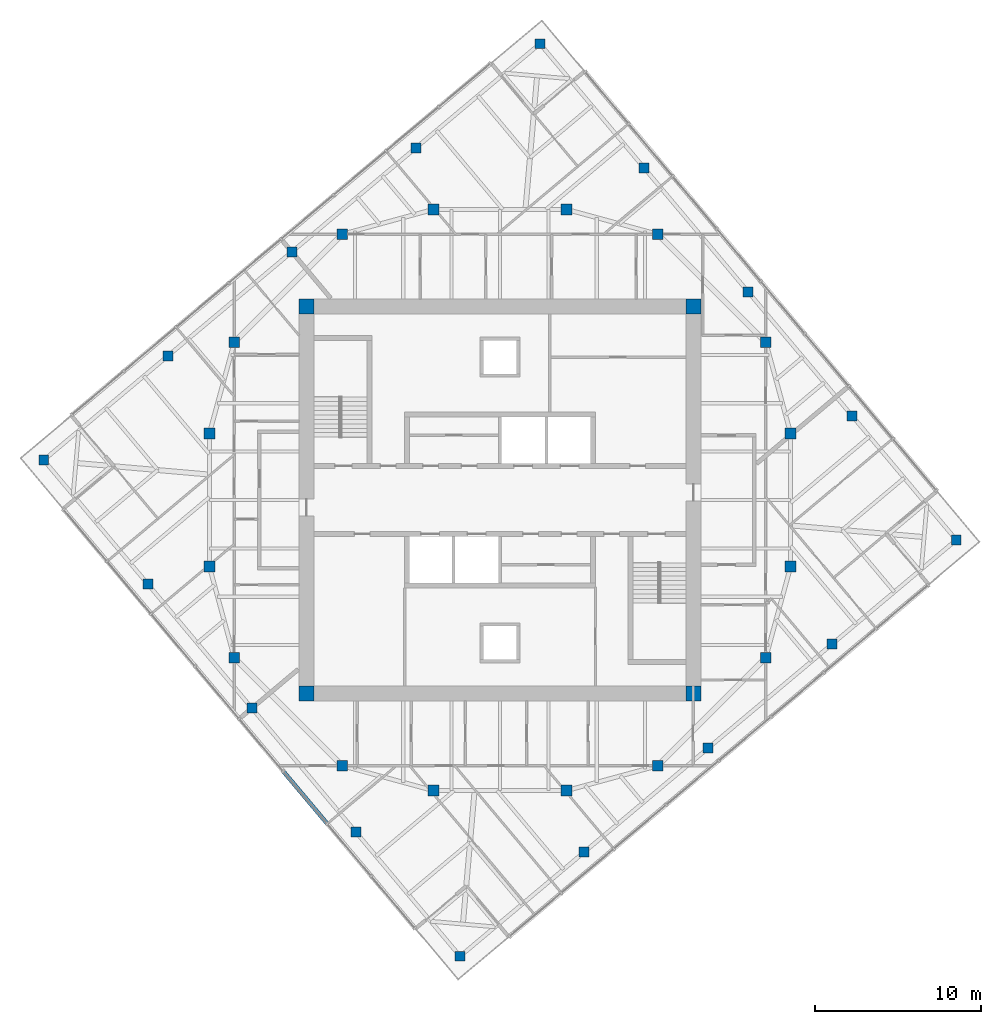
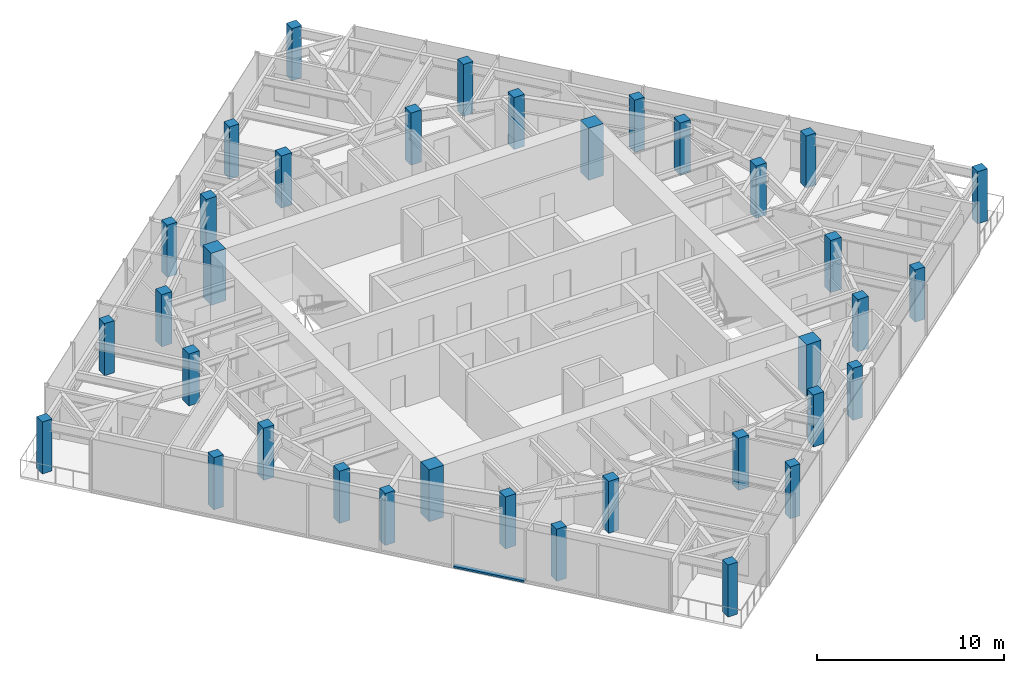
# One storey, part 1 of 12: 36 columns, 1 member, 1 element without a shape of its own.
"""IFC4 building model written with IfcOpenShell, lengths in metres."""

import ifcopenshell
import ifcopenshell.guid

model = None  # the IFC model being written
_history = None  # IfcOwnerHistory: only IFC2X3 demands one
_inside = {}  # id of a spatial element -> (the spatial element, [elements in it])
_under = {}  # id of a project, library or spatial element -> (it, [spatial elements below it])
_declared = {}  # id of a project -> (the project, [libraries it declares])
_typed = {}  # id of a type object -> (the type object, [elements of that type])
_made_of = {}  # id of a material, layer set ... -> (it, [elements and type objects made of it])


def new_model(schema):
    """Start an empty IFC model of exactly this schema.

    Asked for "IFC4X3", IfcOpenShell would pick the latest addendum, in which some entities
    have other attributes; the version numbers below select the first issue.
    IFC2X3 requires an IfcOwnerHistory on every rooted entity: one is made here for all.
    """
    global model, _history
    if schema == "IFC4X3":
        model = ifcopenshell.file(schema_version=(4, 3, 0, 0))
    else:
        model = ifcopenshell.file(schema=schema)
    _inside.clear()
    _under.clear()
    _declared.clear()
    _typed.clear()
    _made_of.clear()
    _history = None
    if model.schema == "IFC2X3":
        org = make("IfcOrganization", Name="unknown")
        user = make(
            "IfcPersonAndOrganization",
            ThePerson=make("IfcPerson", FamilyName="unknown"),
            TheOrganization=org,
        )
        app = make(
            "IfcApplication",
            ApplicationDeveloper=org,
            Version="unknown",
            ApplicationFullName="unknown",
            ApplicationIdentifier="unknown",
        )
        _history = make(
            "IfcOwnerHistory",
            OwningUser=user,
            OwningApplication=app,
            ChangeAction="ADDED",
            CreationDate=0,
        )
    return model


def make(cls, **values):
    """One entity of the class cls with the attributes given. An attribute that is None is left unset."""
    return model.create_entity(
        cls, **{name: value for name, value in values.items() if value is not None}
    )


def rooted(cls, **values):
    """An entity with a GlobalId (a new one), such as an element, a storey or a relation."""
    return make(cls, GlobalId=ifcopenshell.guid.new(), OwnerHistory=_history, **values)


def si_unit(unit_type, name, prefix=None):
    """IfcSIUnit, for example si_unit("LENGTHUNIT", "METRE", prefix="MILLI")."""
    return make("IfcSIUnit", UnitType=unit_type, Prefix=prefix, Name=name)


def assignment(units):
    """IfcUnitAssignment: the units of a project."""
    return None if units is None else make("IfcUnitAssignment", Units=units)


def point(xyz):
    """IfcCartesianPoint."""
    return None if xyz is None else make("IfcCartesianPoint", Coordinates=xyz)


def direction(xyz):
    """IfcDirection."""
    return None if xyz is None else make("IfcDirection", DirectionRatios=xyz)


def frame(location, z_axis=None, x_axis=None):
    """IfcAxis2Placement3D, a coordinate frame: its origin and axes. An axis left out is left unset."""
    return make(
        "IfcAxis2Placement3D",
        Location=point(location),
        Axis=direction(z_axis),
        RefDirection=direction(x_axis),
    )


def frame_2d(location, x_axis=None):
    """IfcAxis2Placement2D, a coordinate frame in the plane: its origin and x axis."""
    return make(
        "IfcAxis2Placement2D", Location=point(location), RefDirection=direction(x_axis)
    )


def origin():
    """The frame at (0, 0, 0) with its axes left unset."""
    return frame((0.0, 0.0, 0.0))


def origin_2d():
    """The frame at (0, 0) in the plane with its x axis left unset."""
    return frame_2d((0.0, 0.0))


def place(relative_to, where):
    """IfcLocalPlacement: puts the frame where relative to a parent placement (None: the world)."""
    return make(
        "IfcLocalPlacement", PlacementRelTo=relative_to, RelativePlacement=where
    )


def context(
    kind, dimensions, precision=None, world=None, true_north=None, identifier=None
):
    """IfcGeometricRepresentationContext, for example the 3D "Model" context."""
    return make(
        "IfcGeometricRepresentationContext",
        ContextIdentifier=identifier,
        ContextType=kind,
        CoordinateSpaceDimension=dimensions,
        Precision=precision,
        WorldCoordinateSystem=world,
        TrueNorth=true_north,
    )


def subcontext(parent, identifier, kind, view, scale=None):
    """IfcGeometricRepresentationSubContext, for example "Body" below "Model"."""
    return make(
        "IfcGeometricRepresentationSubContext",
        ContextIdentifier=identifier,
        ContextType=kind,
        ParentContext=parent,
        TargetScale=scale,
        TargetView=view,
    )


def project(units=None, contexts=None):
    """IfcProject with its units and contexts."""
    return rooted(
        "IfcProject",
        Name="project",
        RepresentationContexts=contexts,
        UnitsInContext=assignment(units),
    )


def spatial(cls, under=None, at=None, **own):
    """A site, building, storey or space (cls), placed at a placement, below another one or the project."""
    s = rooted(cls, ObjectPlacement=at, **own)
    if under is not None:
        _under.setdefault(under.id(), (under, []))[1].append(s)
    return s


def profile(cls, at=None, kind="AREA", **sizes):
    """A parametric profile (cls). Its sizes go by their IFC names, for example OverallWidth=200.0."""
    return make(cls, ProfileType=kind, Position=at, **sizes)


def rectangle(**sizes):
    """IfcRectangleProfileDef."""
    return profile("IfcRectangleProfileDef", **sizes)


def extrude(swept, where, along, depth):
    """IfcExtrudedAreaSolid: the profile swept, set in the frame where, extruded along a direction by depth."""
    return make(
        "IfcExtrudedAreaSolid",
        SweptArea=swept,
        Position=where,
        ExtrudedDirection=direction(along),
        Depth=depth,
    )


def shape(context_of_items, identifier, shape_type, items):
    """IfcShapeRepresentation: the items that make up one representation, for example the "Body"."""
    return make(
        "IfcShapeRepresentation",
        ContextOfItems=context_of_items,
        RepresentationIdentifier=identifier,
        RepresentationType=shape_type,
        Items=items,
    )


def material(Name=None, Category=None):
    """IfcMaterial."""
    return make("IfcMaterial", Name=Name, Category=Category)


def material_profile(
    of_material, cross_section, Name=None, Category=None, Priority=None
):
    """IfcMaterialProfile: a cross section and its material."""
    return make(
        "IfcMaterialProfile",
        Name=Name,
        Material=of_material,
        Profile=cross_section,
        Priority=Priority,
        Category=Category,
    )


def profile_set(profiles, Name=None, composite=None):
    """IfcMaterialProfileSet."""
    return make(
        "IfcMaterialProfileSet",
        Name=Name,
        MaterialProfiles=profiles,
        CompositeProfile=composite,
    )


def made_of(thing, what):
    """Note that an element or type object is made of a material, layer set ...; save() writes the relation."""
    if what is not None:
        _made_of.setdefault(what.id(), (what, []))[1].append(thing)
    return thing


def type_object(cls, material=None, **own):
    """A type object (cls), such as IfcWallType, which elements share."""
    return made_of(rooted(cls, **own), material)


def element(
    cls,
    number,
    at=None,
    inside=None,
    cuts=None,
    type_object=None,
    material=None,
    context=None,
    identifier="Body",
    shape_type=None,
    held_by="IfcProductDefinitionShape",
    body=None,
    shapes=None,
    **own,
):
    """One element of the class cls, such as IfcWall. Its Tag is "e" and its number.

    at: its placement. inside: the storey or other place that contains it. cuts: it is an
    opening in that element (IfcRelVoidsElement). A single representation is given by context,
    identifier, shape_type and body (its items); several are given by shapes. held_by: the class
    of the entity that holds the representations. save() writes the other relations.
    """
    e = rooted(cls, Tag="e%d" % number, ObjectPlacement=at, **own)
    if body is not None:
        shapes = [shape(context, identifier, shape_type, body)]
    if shapes is not None:
        e.Representation = make(held_by, Representations=shapes)
    if inside is not None:
        _inside.setdefault(inside.id(), (inside, []))[1].append(e)
    if cuts is not None:
        rooted(
            "IfcRelVoidsElement", RelatingBuildingElement=cuts, RelatedOpeningElement=e
        )
    if type_object is not None:
        _typed.setdefault(type_object.id(), (type_object, []))[1].append(e)
    return made_of(e, material)


def aggregate(whole, parts):
    """IfcRelAggregates: a whole, such as a stair, and the parts it consists of."""
    return rooted("IfcRelAggregates", RelatingObject=whole, RelatedObjects=parts)


def save(model, path):
    """Write the relations noted so far, then the file.

    IfcRelAggregates (storeys below a building ...), IfcRelContainedInSpatialStructure (elements
    in a storey), IfcRelDefinesByType, IfcRelAssociatesMaterial and IfcRelDeclares: one each for
    every whole, place, type object, material and project.
    """
    for whole, parts in _under.values():
        aggregate(whole, parts)
    for where, things in _inside.values():
        rooted(
            "IfcRelContainedInSpatialStructure",
            RelatedElements=things,
            RelatingStructure=where,
        )
    for kind, things in _typed.values():
        rooted("IfcRelDefinesByType", RelatedObjects=things, RelatingType=kind)
    for what, things in _made_of.values():
        rooted("IfcRelAssociatesMaterial", RelatedObjects=things, RelatingMaterial=what)
    for by, libraries in _declared.values():
        rooted("IfcRelDeclares", RelatingContext=by, RelatedDefinitions=libraries)
    model.write(path)


model = new_model("IFC4")

# Units and contexts
model_context = context("Model", 3, precision=1e-05, world=origin(), true_north=direction((0.0, 1.0)))
body_context = subcontext(model_context, "Body", "Model", "MODEL_VIEW")
ifc_project = project(units=[si_unit("LENGTHUNIT", "METRE"), si_unit("AREAUNIT", "SQUARE_METRE"), si_unit("VOLUMEUNIT", "CUBIC_METRE"), si_unit("PLANEANGLEUNIT", "RADIAN"), si_unit("MASSUNIT", "GRAM", prefix="KILO")], contexts=[model_context])

# Site, building, storey
site_placement = place(None, origin())
site = spatial("IfcSite", under=ifc_project, at=site_placement, CompositionType="ELEMENT")
building_placement = place(site_placement, origin())
building = spatial("IfcBuilding", under=site, at=building_placement, Name="Torsade Residences", CompositionType="ELEMENT")
storey_placement = place(building_placement, frame((0.0, 0.0, 282.800048828125)))
storey = spatial("IfcBuildingStorey", under=building, at=storey_placement, Name="L78", CompositionType="ELEMENT", Elevation=282.800048828125)

# Columns
ifc_material_1 = material(Name="Concrete 80 MPa", Category="concrete")
ifc_material_profile_1 = material_profile(ifc_material_1, rectangle(XDim=0.89990234375, YDim=0.89990234375, at=origin_2d()), Name="RC 900x900")
ifc_profile_set_1 = profile_set([ifc_material_profile_1], Name="Concrete 80 MPa")
column_type_1 = type_object("IfcColumnType", Name="CORE CORNER COLUMN RC 900x900", PredefinedType="COLUMN", material=ifc_profile_set_1)
for number, where, z_axis, x_axis, name in (
    (1, (28.35009765625, 18.35009765625, 0.0), (0.0, 0.0, 1.0), (1.0, 0.0, 0.0), "Core corner column CC1 L78"),
    (2, (51.64990234375, 18.35009765625, 0.0), (0.0, 0.0, 1.0), (1.0, 0.0, 0.0), "Core corner column CC2 L78"),
    (3, (51.64990234375, 41.64990234375, 0.0), (0.0, 0.0, 1.0), (1.0, 0.0, 0.0), "Core corner column CC3 L78"),
    (4, (28.35009765625, 41.64990234375, 0.0), (0.0, 0.0, 1.0), (1.0, 0.0, 0.0), "Core corner column CC4 L78"),
):
    element("IfcColumn", number, at=place(storey_placement, frame(where, z_axis=z_axis, x_axis=x_axis)), inside=storey, type_object=column_type_1, Name=name, PredefinedType="COLUMN", context=body_context, shape_type="SweptSolid", body=[
        extrude(rectangle(XDim=0.89990234375, YDim=0.89990234375, at=origin_2d()), origin(), (0.0, 0.0, 1.0), 3.39990234375),
    ])
ifc_material_2 = material(Name="Concrete 80 MPa", Category="concrete")
ifc_material_profile_2 = material_profile(ifc_material_2, rectangle(XDim=0.64990234375, YDim=0.64990234375, at=origin_2d()), Name="RC 650x650")
ifc_profile_set_2 = profile_set([ifc_material_profile_2], Name="Concrete 80 MPa")
column_type_2 = type_object("IfcColumnType", Name="INNER RING COLUMN RC 650x650", PredefinedType="COLUMN", material=ifc_profile_set_2)
for number, where, z_axis, x_axis, name in (
    (5, (57.5, 26.0, 0.0), (0.0, 0.0, 1.0), (1.0, 0.0, 0.0), "Inner ring column IR01 L78"),
    (6, (57.5, 34.0, 0.0), (0.0, 0.0, 1.0), (1.0, 0.0, 0.0), "Inner ring column IR02 L78"),
    (7, (56.0, 39.5, 0.0), (0.0, 0.0, 1.0), (1.0, 0.0, 0.0), "Inner ring column IR03 L78"),
    (8, (49.5, 46.0, 0.0), (0.0, 0.0, 1.0), (1.0, 0.0, 0.0), "Inner ring column IR04 L78"),
    (9, (44.0, 47.5, 0.0), (0.0, 0.0, 1.0), (1.0, 0.0, 0.0), "Inner ring column IR05 L78"),
    (10, (36.0, 47.5, 0.0), (0.0, 0.0, 1.0), (1.0, 0.0, 0.0), "Inner ring column IR06 L78"),
    (11, (30.5, 46.0, 0.0), (0.0, 0.0, 1.0), (1.0, 0.0, 0.0), "Inner ring column IR07 L78"),
    (12, (24.0, 39.5, 0.0), (0.0, 0.0, 1.0), (1.0, 0.0, 0.0), "Inner ring column IR08 L78"),
    (13, (22.5, 34.0, 0.0), (0.0, 0.0, 1.0), (1.0, 0.0, 0.0), "Inner ring column IR09 L78"),
    (14, (22.5, 26.0, 0.0), (0.0, 0.0, 1.0), (1.0, 0.0, 0.0), "Inner ring column IR10 L78"),
    (15, (24.0, 20.5, 0.0), (0.0, 0.0, 1.0), (1.0, 0.0, 0.0), "Inner ring column IR11 L78"),
    (16, (30.5, 14.0, 0.0), (0.0, 0.0, 1.0), (1.0, 0.0, 0.0), "Inner ring column IR12 L78"),
    (17, (36.0, 12.5, 0.0), (0.0, 0.0, 1.0), (1.0, 0.0, 0.0), "Inner ring column IR13 L78"),
    (18, (44.0, 12.5, 0.0), (0.0, 0.0, 1.0), (1.0, 0.0, 0.0), "Inner ring column IR14 L78"),
    (19, (49.5, 14.0, 0.0), (0.0, 0.0, 1.0), (1.0, 0.0, 0.0), "Inner ring column IR15 L78"),
    (20, (56.0, 20.5, 0.0), (0.0, 0.0, 1.0), (1.0, 0.0, 0.0), "Inner ring column IR16 L78"),
):
    element("IfcColumn", number, at=place(storey_placement, frame(where, z_axis=z_axis, x_axis=x_axis)), inside=storey, type_object=column_type_2, Name=name, PredefinedType="COLUMN", context=body_context, shape_type="SweptSolid", body=[
        extrude(rectangle(XDim=0.64990234375, YDim=0.64990234375, at=origin_2d()), origin(), (0.0, 0.0, 1.0), 3.39990234375),
    ])
ifc_material_3 = material(Name="Concrete 80 MPa", Category="concrete")
ifc_material_profile_3 = material_profile(ifc_material_3, rectangle(XDim=0.60009765625, YDim=0.60009765625, at=origin_2d()), Name="RC 600x600")
ifc_profile_set_3 = profile_set([ifc_material_profile_3], Name="Concrete 80 MPa")
column_type_3 = type_object("IfcColumnType", Name="TOWER COLUMN RC 600x600", PredefinedType="COLUMN", material=ifc_profile_set_3)
for number, where, z_axis, x_axis, name in (
    (21, (37.596435546875, 2.52783203125, 0.0), (0.0, 0.0, 1.0), (1.0, 0.0, 0.0), "Column TC9-01 L78"),
    (22, (45.0654296875, 8.794921875, 0.0), (0.0, 0.0, 1.0), (1.0, 0.0, 0.0), "Column TC9-02 L78"),
    (23, (52.534423828125, 15.06201171875, 0.0), (0.0, 0.0, 1.0), (1.0, 0.0, 0.0), "Column TC9-03 L78"),
    (24, (60.003173828125, 21.329345703125, 0.0), (0.0, 0.0, 1.0), (1.0, 0.0, 0.0), "Column TC9-04 L78"),
    (25, (67.47216796875, 27.596435546875, 0.0), (0.0, 0.0, 1.0), (1.0, 0.0, 0.0), "Column TC9-05 L78"),
    (26, (61.205078125, 35.0654296875, 0.0), (0.0, 0.0, 1.0), (1.0, 0.0, 0.0), "Column TC9-06 L78"),
    (27, (54.93798828125, 42.534423828125, 0.0), (0.0, 0.0, 1.0), (1.0, 0.0, 0.0), "Column TC9-07 L78"),
    (28, (48.670654296875, 50.003173828125, 0.0), (0.0, 0.0, 1.0), (1.0, 0.0, 0.0), "Column TC9-08 L78"),
    (29, (42.403564453125, 57.47216796875, 0.0), (0.0, 0.0, 1.0), (1.0, 0.0, 0.0), "Column TC9-09 L78"),
    (30, (34.9345703125, 51.205078125, 0.0), (0.0, 0.0, 1.0), (1.0, 0.0, 0.0), "Column TC9-10 L78"),
    (31, (27.465576171875, 44.93798828125, 0.0), (0.0, 0.0, 1.0), (1.0, 0.0, 0.0), "Column TC9-11 L78"),
    (32, (19.996826171875, 38.670654296875, 0.0), (0.0, 0.0, 1.0), (1.0, 0.0, 0.0), "Column TC9-12 L78"),
    (33, (12.52783203125, 32.403564453125, 0.0), (0.0, 0.0, 1.0), (1.0, 0.0, 0.0), "Column TC9-13 L78"),
    (34, (18.794921875, 24.9345703125, 0.0), (0.0, 0.0, 1.0), (1.0, 0.0, 0.0), "Column TC9-14 L78"),
    (35, (25.06201171875, 17.465576171875, 0.0), (0.0, 0.0, 1.0), (1.0, 0.0, 0.0), "Column TC9-15 L78"),
    (36, (31.329345703125, 9.996826171875, 0.0), (0.0, 0.0, 1.0), (1.0, 0.0, 0.0), "Column TC9-16 L78"),
):
    element("IfcColumn", number, at=place(storey_placement, frame(where, z_axis=z_axis, x_axis=x_axis)), inside=storey, type_object=column_type_3, Name=name, PredefinedType="COLUMN", context=body_context, shape_type="SweptSolid", body=[
        extrude(rectangle(XDim=0.60009765625, YDim=0.60009765625, at=origin_2d()), origin(), (0.0, 0.0, 1.0), 3.39990234375),
    ])

# Curtain wall, member
ifc_material_4 = material(Name="Aluminium and glass", Category="aluminium")
curtain_wall_type = type_object("IfcCurtainWallType", Name="FRITTED GLASS CURTAIN WALL HIGH ZONE", PredefinedType="NOTDEFINED", material=ifc_material_4)
curtain_wall_placement = place(storey_placement, origin())
curtain_wall = element("IfcCurtainWall", 37, at=curtain_wall_placement, inside=storey, type_object=curtain_wall_type, Name="Curtain wall L78 face 10", PredefinedType="NOTDEFINED")
ifc_material_5 = material(Name="Aluminium transom", Category="aluminium")
ifc_material_profile_4 = material_profile(ifc_material_5, rectangle(XDim=0.25, YDim=0.1201171875, at=origin_2d()), Name="HIGH ZONE CURTAIN WALL TRANSOM 250x120")
ifc_profile_set_4 = profile_set([ifc_material_profile_4], Name="Aluminium transom")
member_type = type_object("IfcMemberType", Name="HIGH ZONE CURTAIN WALL TRANSOM 250x120", PredefinedType="USERDEFINED", material=ifc_profile_set_4)
member_placement = place(storey_placement, frame((26.979736328125, 13.62451171875, 0.06005859375), z_axis=(0.642787992616, -0.766044121803, 0.0), x_axis=(0.766044121803, 0.642787992616, 0.0)))
member = element("IfcMember", 38, at=member_placement, type_object=member_type, Name="Transom 6.1", ObjectType="TRANSOM", PredefinedType="USERDEFINED", context=body_context, shape_type="SweptSolid", body=[
    extrude(rectangle(XDim=0.25, YDim=0.1201171875, at=origin_2d()), origin(), (0.0, 0.0, 1.0), 4.02490234375),
])
aggregate(curtain_wall, [member])

save(model, "model.ifc")
